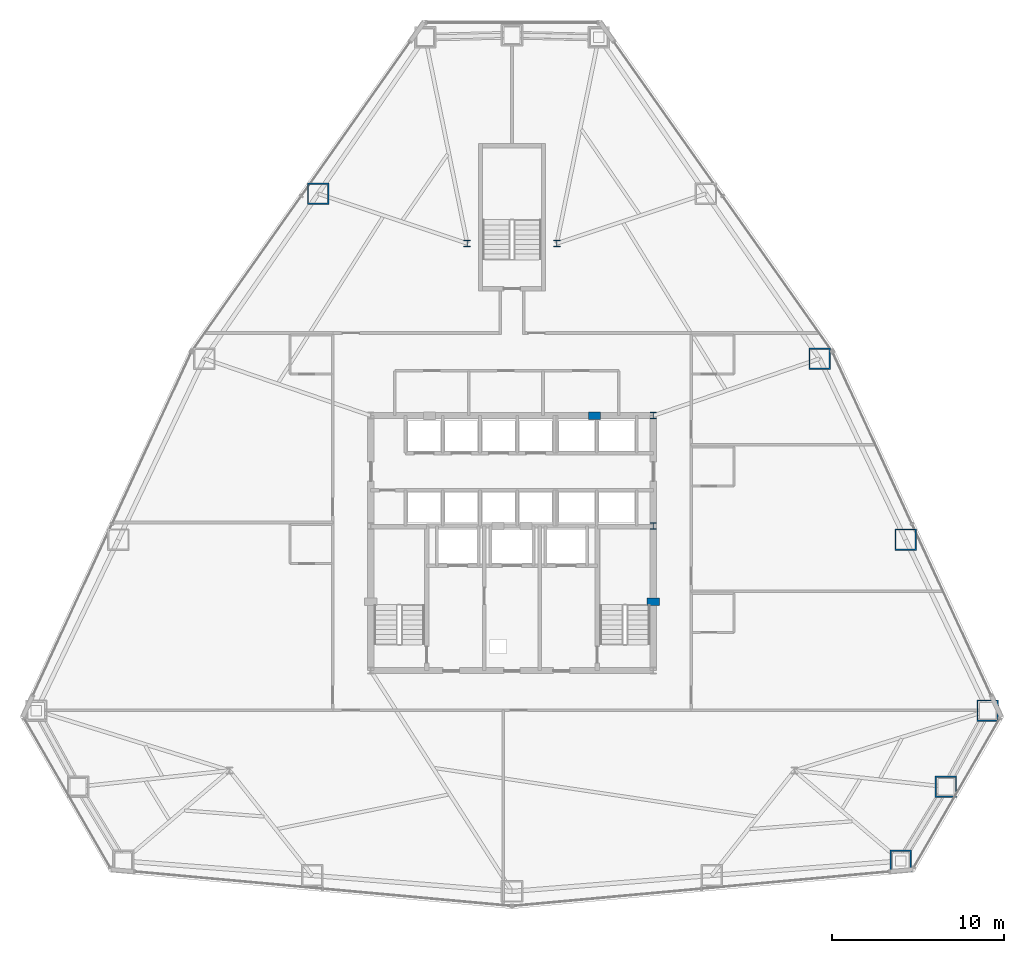
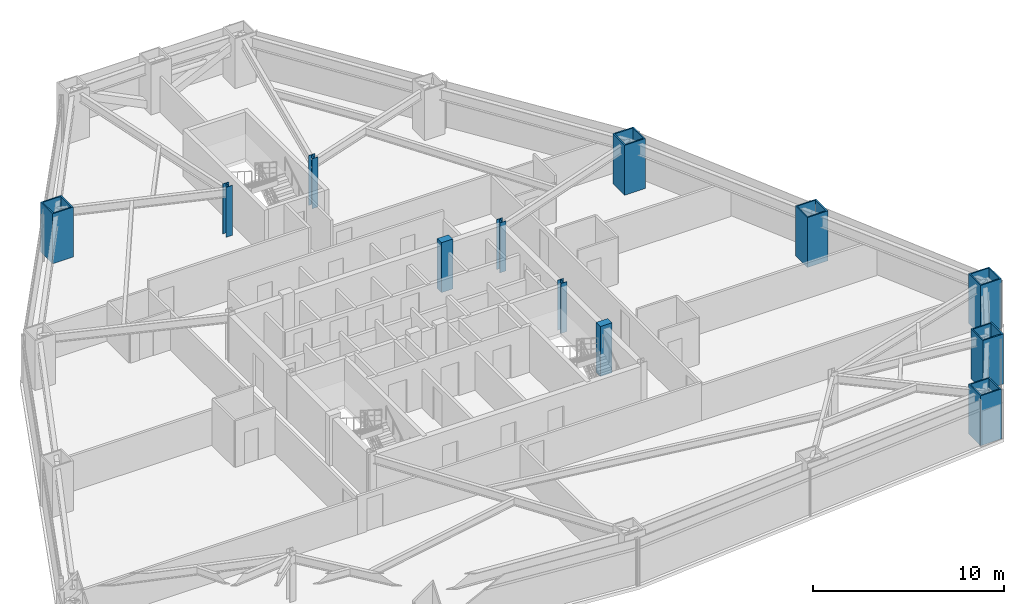
# One storey, part 2 of 12: 12 columns.
"""IFC4 building model written with IfcOpenShell, lengths in metres."""

from ifc_helpers import new_model, si_unit, direction, frame, origin, origin_2d, place, context, subcontext, project, spatial, rectangle, hollow_rectangle, i_section, extrude, material, material_profile, profile_set, type_object, element, save


model = new_model("IFC4")

# Units and contexts
model_context = context("Model", 3, precision=1e-05, world=origin(), true_north=direction((0.0, 1.0)))
body_context = subcontext(model_context, "Body", "Model", "MODEL_VIEW")
ifc_project = project(units=[si_unit("LENGTHUNIT", "METRE"), si_unit("AREAUNIT", "SQUARE_METRE"), si_unit("VOLUMEUNIT", "CUBIC_METRE"), si_unit("PLANEANGLEUNIT", "RADIAN"), si_unit("MASSUNIT", "GRAM", prefix="KILO")], contexts=[model_context])

# Site, building, storey
site_placement = place(None, origin())
site = spatial("IfcSite", under=ifc_project, at=site_placement, CompositionType="ELEMENT")
building_placement = place(site_placement, origin())
building = spatial("IfcBuilding", under=site, at=building_placement, Name="Varakhsha Concourse Tower", CompositionType="ELEMENT")
storey_placement = place(building_placement, frame((0.0, 0.0, 36.800048828125)))
storey = spatial("IfcBuildingStorey", under=building, at=storey_placement, Name="L09", CompositionType="ELEMENT", Elevation=36.800048828125)

# Columns
ifc_material_1 = material(Name="Structural Steel ASTM A992 Grade 50", Category="steel")
ifc_material_profile_1 = material_profile(ifc_material_1, i_section(OverallWidth=0.3740234375, OverallDepth=0.3720703125, WebThickness=0.01611328125, FlangeThickness=0.02587890625, at=origin_2d()), Name="W14X132")
ifc_profile_set_1 = profile_set([ifc_material_profile_1], Name="Structural Steel ASTM A992 Grade 50")
column_type_1 = type_object("IfcColumnType", Name="CL-CORE-W14X132", PredefinedType="COLUMN", material=ifc_profile_set_1)
for number, where, z_axis, x_axis, name in (
    (1, (48.199951171875, 24.800048828125, 0.0), (0.0, 0.0, 1.0), (1.0, 0.0, 0.0), "L09 Core Column CC-ME"),
    (2, (48.199951171875, 31.199951171875, 0.0), (0.0, 0.0, 1.0), (1.0, 0.0, 0.0), "L09 Core Column CC-NE"),
    (3, (37.39990234375, 41.199951171875, 0.0), (0.0, 0.0, 1.0), (1.0, 0.0, 0.0), "L09 Core Column NS-W"),
    (4, (42.60009765625, 41.199951171875, 0.0), (0.0, 0.0, 1.0), (1.0, 0.0, 0.0), "L09 Core Column NS-E"),
):
    element("IfcColumn", number, at=place(storey_placement, frame(where, z_axis=z_axis, x_axis=x_axis)), inside=storey, type_object=column_type_1, Name=name, PredefinedType="COLUMN", context=body_context, shape_type="SweptSolid", body=[
        extrude(i_section(OverallWidth=0.3740234375, OverallDepth=0.3720703125, WebThickness=0.01611328125, FlangeThickness=0.02587890625, at=origin_2d()), origin(), (0.0, 0.0, 1.0), 3.199951171875),
    ])
ifc_material_2 = material(Name="Concrete fc 65 MPa", Category="concrete")
ifc_material_profile_2 = material_profile(ifc_material_2, rectangle(XDim=0.699951171875, YDim=0.449951171875, at=origin_2d()), Name="RC 700x450")
ifc_profile_set_2 = profile_set([ifc_material_profile_2], Name="Concrete fc 65 MPa")
column_type_2 = type_object("IfcColumnType", Name="CL-PIL-700X450", PredefinedType="PILASTER", material=ifc_profile_set_2)
for number, where, z_axis, x_axis, name in (
    (5, (48.199951171875, 20.39990234375, 0.0), (0.0, 0.0, 1.0), (1.0, 0.0, 0.0), "L09 Core Boundary Pilaster PIL-E1"),
    (6, (44.800048828125, 31.199951171875, 0.0), (0.0, 0.0, 1.0), (1.0, 0.0, 0.0), "L09 Core Boundary Pilaster PIL-N2"),
):
    element("IfcColumn", number, at=place(storey_placement, frame(where, z_axis=z_axis, x_axis=x_axis)), inside=storey, type_object=column_type_2, Name=name, PredefinedType="PILASTER", context=body_context, shape_type="SweptSolid", body=[
        extrude(rectangle(XDim=0.699951171875, YDim=0.449951171875, at=origin_2d()), origin(), (0.0, 0.0, 1.0), 3.199951171875),
    ])
ifc_material_3 = material(Name="Structural Steel ASTM A572 Grade 50", Category="steel")
ifc_material_profile_3 = material_profile(ifc_material_3, hollow_rectangle(XDim=1.25, YDim=1.25, WallThickness=0.080078125, at=origin_2d()), Name="BOX 1250x1250x80")
ifc_profile_set_3 = profile_set([ifc_material_profile_3], Name="Structural Steel ASTM A572 Grade 50")
column_type_3 = type_object("IfcColumnType", Name="CL-TUBE-1250", PredefinedType="COLUMN", material=ifc_profile_set_3)
for number, where, z_axis, x_axis, name in (
    (7, (28.74609375, 44.084228515625, 0.0), (0.0, 0.0, 1.0), (1.0, 0.0, 0.0), "L09 Framed-Tube Column TC04"),
    (8, (62.569580078125, 5.3486328125, 0.0), (0.0, 0.0, 1.0), (1.0, 0.0, 0.0), "L09 Framed-Tube Column TC13"),
    (9, (65.19140625, 9.65576171875, 0.0), (0.0, 0.0, 1.0), (1.0, 0.0, 0.0), "L09 Framed-Tube Column TC14"),
    (10, (67.610595703125, 14.07958984375, 0.0), (0.0, 0.0, 1.0), (1.0, 0.0, 0.0), "L09 Framed-Tube Column TC15"),
    (11, (62.84716796875, 24.004150390625, 0.0), (0.0, 0.0, 1.0), (1.0, 0.0, 0.0), "L09 Framed-Tube Column TC16"),
    (12, (57.855224609375, 34.5087890625, 0.0), (0.0, 0.0, 1.0), (1.0, 0.0, 0.0), "L09 Framed-Tube Column TC17"),
):
    element("IfcColumn", number, at=place(storey_placement, frame(where, z_axis=z_axis, x_axis=x_axis)), inside=storey, type_object=column_type_3, Name=name, PredefinedType="COLUMN", context=body_context, shape_type="SweptSolid", body=[
        extrude(hollow_rectangle(XDim=1.25, YDim=1.25, WallThickness=0.080078125, at=origin_2d()), origin(), (0.0, 0.0, 1.0), 3.199951171875),
    ])

save(model, "model.ifc")
